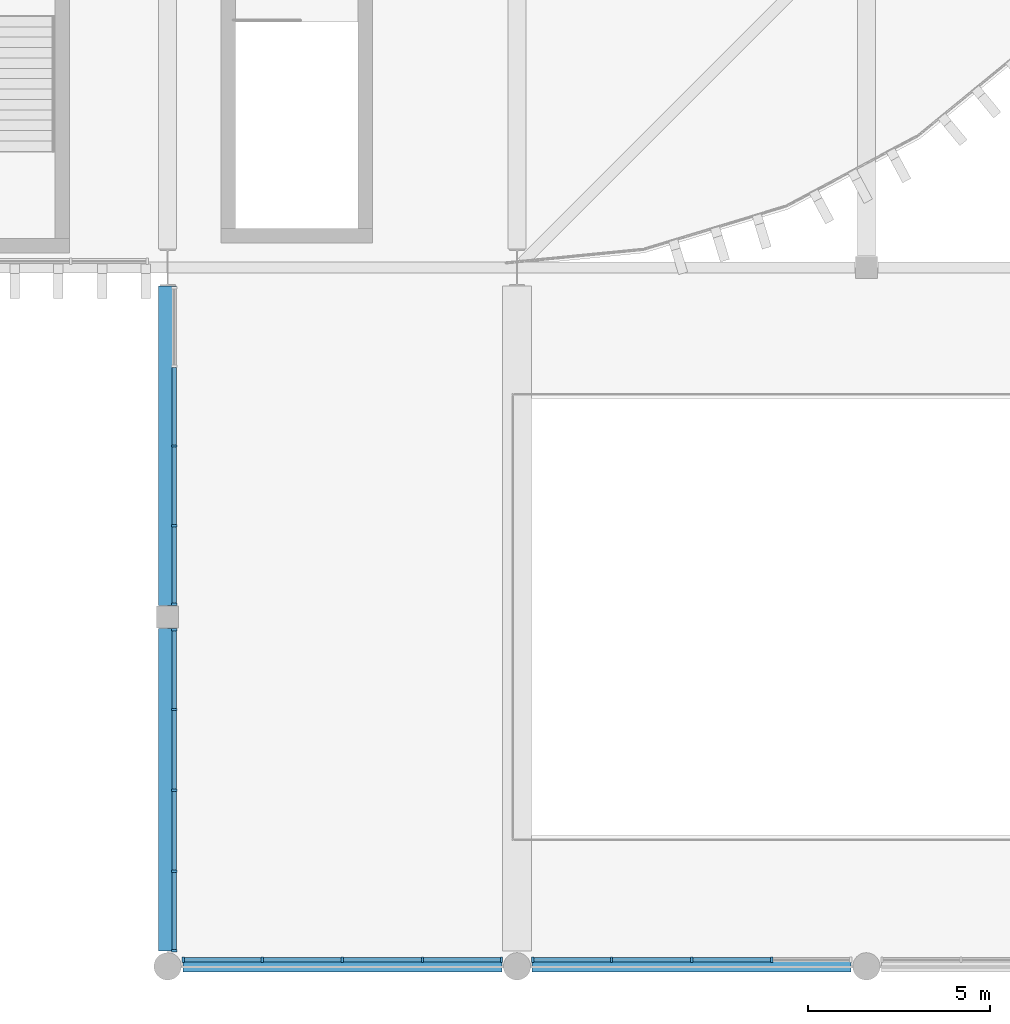
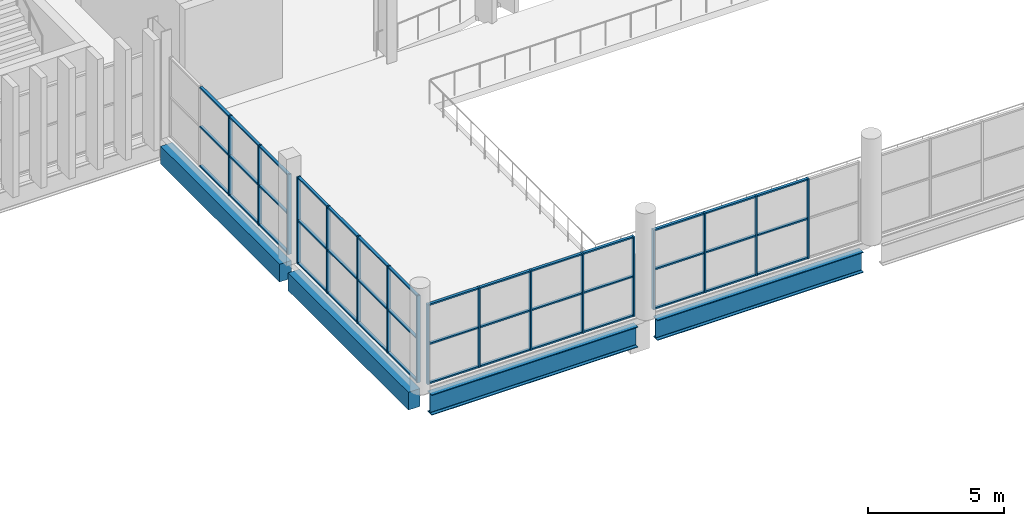
# One storey, part 36 of 99: 59 members, 4 beams, 4 elements without a shape of their own.
"""IFC4 building model written with IfcOpenShell, lengths in metres."""

from ifc_helpers import new_model, si_unit, direction, frame, origin, origin_2d, place, context, subcontext, project, spatial, rectangle, i_section, extrude, material, layer, layer_set, material_profile, profile_set, type_object, element, aggregate, save


model = new_model("IFC4")

# Units and contexts
model_context = context("Model", 3, precision=1e-05, world=origin(), true_north=direction((0.0, 1.0)))
body_context = subcontext(model_context, "Body", "Model", "MODEL_VIEW")
ifc_project = project(units=[si_unit("LENGTHUNIT", "METRE"), si_unit("AREAUNIT", "SQUARE_METRE"), si_unit("VOLUMEUNIT", "CUBIC_METRE"), si_unit("PLANEANGLEUNIT", "RADIAN"), si_unit("MASSUNIT", "GRAM", prefix="KILO")], contexts=[model_context])

# Site, building, storey
site_placement = place(None, origin())
site = spatial("IfcSite", under=ifc_project, at=site_placement, CompositionType="ELEMENT")
building_placement = place(site_placement, origin())
building = spatial("IfcBuilding", under=site, at=building_placement, Name="Caelomonte Colonnade Arena", CompositionType="ELEMENT")
storey_placement = place(building_placement, frame((0.0, 0.0, 4.800048828125)))
storey = spatial("IfcBuildingStorey", under=building, at=storey_placement, Name="L01", CompositionType="ELEMENT", Elevation=4.800048828125)

# Curtain wall, members
ifc_material_1 = material(Name="Bronze anodised aluminium and low-E glazing", Category="aluminium")
ifc_layer_1 = layer(ifc_material_1, 0.179931640625)
ifc_layer_set_1 = layer_set([ifc_layer_1], Name="Bronze anodised aluminium and low-E glazing")
curtain_wall_type_1 = type_object("IfcCurtainWallType", Name="ENV-CW-CW-L01-100-36", PredefinedType="USERDEFINED", material=ifc_layer_set_1)
curtain_wall_1_placement = place(storey_placement, origin())
curtain_wall_1 = element("IfcCurtainWall", 1, at=curtain_wall_1_placement, inside=storey, type_object=curtain_wall_type_1, Name="L01 unitized curtain wall CW-L01-1346-0146", ObjectType="UNITIZED CURTAIN WALL", PredefinedType="USERDEFINED")
ifc_material_2 = material(Name="Bronze anodised aluminium AA6063-T6", Category="aluminium")
ifc_material_profile_1 = material_profile(ifc_material_2, rectangle(XDim=0.06494140625, YDim=0.14990234375, at=origin_2d()), Name="CWM-65X150")
ifc_profile_set_1 = profile_set([ifc_material_profile_1], Name="Bronze anodised aluminium AA6063-T6")
member_type_1 = type_object("IfcMemberType", Name="ENV-CW-MULL2", PredefinedType="MULLION", material=ifc_profile_set_1)
member_1_placement = place(storey_placement, frame((134.580078125, 14.29736328125, 0.0), z_axis=(0.0, 0.0, 1.0), x_axis=(0.0, -1.0, 0.0)))
member_1 = element("IfcMember", 2, at=member_1_placement, type_object=member_type_1, Name="CW-L01-100-36 mullion 3", PredefinedType="MULLION", context=body_context, shape_type="SweptSolid", body=[
    extrude(rectangle(XDim=0.06494140625, YDim=0.14990234375, at=origin_2d()), origin(), (0.0, 0.0, 1.0), 3.593017578125),
])
member_2_placement = place(storey_placement, frame((134.580078125, 12.108642578125, 0.0), z_axis=(0.0, 0.0, 1.0), x_axis=(0.0, -1.0, 0.0)))
member_2 = element("IfcMember", 3, at=member_2_placement, type_object=member_type_1, Name="CW-L01-100-36 mullion 4", PredefinedType="MULLION", context=body_context, shape_type="SweptSolid", body=[
    extrude(rectangle(XDim=0.06494140625, YDim=0.14990234375, at=origin_2d()), origin(), (0.0, 0.0, 1.0), 3.593017578125),
])
member_3_placement = place(storey_placement, frame((134.580078125, 9.952392578125, 0.0), z_axis=(0.0, 0.0, 1.0), x_axis=(0.0, -1.0, 0.0)))
member_3 = element("IfcMember", 4, at=member_3_placement, type_object=member_type_1, Name="CW-L01-100-36 mullion 5", PredefinedType="MULLION", context=body_context, shape_type="SweptSolid", body=[
    extrude(rectangle(XDim=0.06494140625, YDim=0.14990234375, at=origin_2d()), origin(), (0.0, 0.0, 1.0), 3.593017578125),
])

ifc_layer_2 = layer(ifc_material_1, 0.179931640625)
ifc_layer_set_2 = layer_set([ifc_layer_2], Name="Bronze anodised aluminium and low-E glazing")
curtain_wall_type_2 = type_object("IfcCurtainWallType", Name="ENV-CW-CW-L01-92-39", PredefinedType="USERDEFINED", material=ifc_layer_set_2)
curtain_wall_2_placement = place(storey_placement, origin())
curtain_wall_2 = element("IfcCurtainWall", 5, at=curtain_wall_2_placement, inside=storey, type_object=curtain_wall_type_2, Name="L01 unitized curtain wall CW-L01-1346-0050", ObjectType="UNITIZED CURTAIN WALL", PredefinedType="USERDEFINED")
member_4_placement = place(storey_placement, frame((134.580078125, 9.24755859375, 0.0), z_axis=(0.0, 0.0, 1.0), x_axis=(0.0, -1.0, 0.0)))
member_4 = element("IfcMember", 6, at=member_4_placement, type_object=member_type_1, Name="CW-L01-92-39 mullion 1", PredefinedType="MULLION", context=body_context, shape_type="SweptSolid", body=[
    extrude(rectangle(XDim=0.06494140625, YDim=0.14990234375, at=origin_2d()), origin(), (0.0, 0.0, 1.0), 3.912841796875),
])
member_5_placement = place(storey_placement, frame((134.580078125, 7.058837890625, 0.0), z_axis=(0.0, 0.0, 1.0), x_axis=(0.0, -1.0, 0.0)))
member_5 = element("IfcMember", 7, at=member_5_placement, type_object=member_type_1, Name="CW-L01-92-39 mullion 2", PredefinedType="MULLION", context=body_context, shape_type="SweptSolid", body=[
    extrude(rectangle(XDim=0.06494140625, YDim=0.14990234375, at=origin_2d()), origin(), (0.0, 0.0, 1.0), 3.912841796875),
])
member_6_placement = place(storey_placement, frame((134.580078125, 4.83740234375, 0.0), z_axis=(0.0, 0.0, 1.0), x_axis=(0.0, -1.0, 0.0)))
member_6 = element("IfcMember", 8, at=member_6_placement, type_object=member_type_1, Name="CW-L01-92-39 mullion 3", PredefinedType="MULLION", context=body_context, shape_type="SweptSolid", body=[
    extrude(rectangle(XDim=0.06494140625, YDim=0.14990234375, at=origin_2d()), origin(), (0.0, 0.0, 1.0), 3.912841796875),
])
member_7_placement = place(storey_placement, frame((134.580078125, 2.6162109375, 0.0), z_axis=(0.0, 0.0, 1.0), x_axis=(0.0, -1.0, 0.0)))
member_7 = element("IfcMember", 9, at=member_7_placement, type_object=member_type_1, Name="CW-L01-92-39 mullion 4", PredefinedType="MULLION", context=body_context, shape_type="SweptSolid", body=[
    extrude(rectangle(XDim=0.06494140625, YDim=0.14990234375, at=origin_2d()), origin(), (0.0, 0.0, 1.0), 3.912841796875),
])
member_8_placement = place(storey_placement, frame((134.580078125, 0.427490234375, 0.0), z_axis=(0.0, 0.0, 1.0), x_axis=(0.0, -1.0, 0.0)))
member_8 = element("IfcMember", 10, at=member_8_placement, type_object=member_type_1, Name="CW-L01-92-39 mullion 5", PredefinedType="MULLION", context=body_context, shape_type="SweptSolid", body=[
    extrude(rectangle(XDim=0.06494140625, YDim=0.14990234375, at=origin_2d()), origin(), (0.0, 0.0, 1.0), 3.912841796875),
])

ifc_layer_3 = layer(ifc_material_1, 0.179931640625)
ifc_layer_set_3 = layer_set([ifc_layer_3], Name="Bronze anodised aluminium and low-E glazing")
curtain_wall_type_3 = type_object("IfcCurtainWallType", Name="ENV-CW-CW-L01-89-36", PredefinedType="USERDEFINED", material=ifc_layer_set_3)
curtain_wall_3_placement = place(storey_placement, origin())
curtain_wall_3 = element("IfcCurtainWall", 11, at=curtain_wall_3_placement, inside=storey, type_object=curtain_wall_type_3, Name="L01 unitized curtain wall CW-L01-1392-0002", ObjectType="UNITIZED CURTAIN WALL", PredefinedType="USERDEFINED")
member_9_placement = place(storey_placement, frame((134.827392578125, 0.179931640625, 0.0), z_axis=(0.0, 0.0, 1.0), x_axis=(1.0, 0.0, 0.0)))
member_9 = element("IfcMember", 12, at=member_9_placement, type_object=member_type_1, Name="CW-L01-89-36 mullion 1", PredefinedType="MULLION", context=body_context, shape_type="SweptSolid", body=[
    extrude(rectangle(XDim=0.06494140625, YDim=0.14990234375, at=origin_2d()), origin(), (0.0, 0.0, 1.0), 3.593017578125),
])
member_10_placement = place(storey_placement, frame((136.99755859375, 0.179931640625, 0.0), z_axis=(0.0, 0.0, 1.0), x_axis=(1.0, 0.0, 0.0)))
member_10 = element("IfcMember", 13, at=member_10_placement, type_object=member_type_1, Name="CW-L01-89-36 mullion 2", PredefinedType="MULLION", context=body_context, shape_type="SweptSolid", body=[
    extrude(rectangle(XDim=0.06494140625, YDim=0.14990234375, at=origin_2d()), origin(), (0.0, 0.0, 1.0), 3.593017578125),
])
member_11_placement = place(storey_placement, frame((139.199951171875, 0.179931640625, 0.0), z_axis=(0.0, 0.0, 1.0), x_axis=(1.0, 0.0, 0.0)))
member_11 = element("IfcMember", 14, at=member_11_placement, type_object=member_type_1, Name="CW-L01-89-36 mullion 3", PredefinedType="MULLION", context=body_context, shape_type="SweptSolid", body=[
    extrude(rectangle(XDim=0.06494140625, YDim=0.14990234375, at=origin_2d()), origin(), (0.0, 0.0, 1.0), 3.593017578125),
])
member_12_placement = place(storey_placement, frame((141.402587890625, 0.179931640625, 0.0), z_axis=(0.0, 0.0, 1.0), x_axis=(1.0, 0.0, 0.0)))
member_12 = element("IfcMember", 15, at=member_12_placement, type_object=member_type_1, Name="CW-L01-89-36 mullion 4", PredefinedType="MULLION", context=body_context, shape_type="SweptSolid", body=[
    extrude(rectangle(XDim=0.06494140625, YDim=0.14990234375, at=origin_2d()), origin(), (0.0, 0.0, 1.0), 3.593017578125),
])
member_13_placement = place(storey_placement, frame((143.572509765625, 0.179931640625, 0.0), z_axis=(0.0, 0.0, 1.0), x_axis=(1.0, 0.0, 0.0)))
member_13 = element("IfcMember", 16, at=member_13_placement, type_object=member_type_1, Name="CW-L01-89-36 mullion 5", PredefinedType="MULLION", context=body_context, shape_type="SweptSolid", body=[
    extrude(rectangle(XDim=0.06494140625, YDim=0.14990234375, at=origin_2d()), origin(), (0.0, 0.0, 1.0), 3.593017578125),
])

curtain_wall_4_placement = place(storey_placement, origin())
curtain_wall_4 = element("IfcCurtainWall", 17, at=curtain_wall_4_placement, inside=storey, type_object=curtain_wall_type_3, Name="L01 unitized curtain wall CW-L01-1488-0002", ObjectType="UNITIZED CURTAIN WALL", PredefinedType="USERDEFINED")
member_14_placement = place(storey_placement, frame((144.427490234375, 0.179931640625, 0.0), z_axis=(0.0, 0.0, 1.0), x_axis=(1.0, 0.0, 0.0)))
member_14 = element("IfcMember", 18, at=member_14_placement, type_object=member_type_1, Name="CW-L01-89-36 mullion 1", PredefinedType="MULLION", context=body_context, shape_type="SweptSolid", body=[
    extrude(rectangle(XDim=0.06494140625, YDim=0.14990234375, at=origin_2d()), origin(), (0.0, 0.0, 1.0), 3.593017578125),
])
member_15_placement = place(storey_placement, frame((146.597412109375, 0.179931640625, 0.0), z_axis=(0.0, 0.0, 1.0), x_axis=(1.0, 0.0, 0.0)))
member_15 = element("IfcMember", 19, at=member_15_placement, type_object=member_type_1, Name="CW-L01-89-36 mullion 2", PredefinedType="MULLION", context=body_context, shape_type="SweptSolid", body=[
    extrude(rectangle(XDim=0.06494140625, YDim=0.14990234375, at=origin_2d()), origin(), (0.0, 0.0, 1.0), 3.593017578125),
])
member_16_placement = place(storey_placement, frame((148.800048828125, 0.179931640625, 0.0), z_axis=(0.0, 0.0, 1.0), x_axis=(1.0, 0.0, 0.0)))
member_16 = element("IfcMember", 20, at=member_16_placement, type_object=member_type_1, Name="CW-L01-89-36 mullion 3", PredefinedType="MULLION", context=body_context, shape_type="SweptSolid", body=[
    extrude(rectangle(XDim=0.06494140625, YDim=0.14990234375, at=origin_2d()), origin(), (0.0, 0.0, 1.0), 3.593017578125),
])
member_17_placement = place(storey_placement, frame((151.00244140625, 0.179931640625, 0.0), z_axis=(0.0, 0.0, 1.0), x_axis=(1.0, 0.0, 0.0)))
member_17 = element("IfcMember", 21, at=member_17_placement, type_object=member_type_1, Name="CW-L01-89-36 mullion 4", PredefinedType="MULLION", context=body_context, shape_type="SweptSolid", body=[
    extrude(rectangle(XDim=0.06494140625, YDim=0.14990234375, at=origin_2d()), origin(), (0.0, 0.0, 1.0), 3.593017578125),
])

# Member
ifc_material_profile_2 = material_profile(ifc_material_2, rectangle(XDim=0.06494140625, YDim=0.1201171875, at=origin_2d()), Name="CWT-65X120")
ifc_profile_set_2 = profile_set([ifc_material_profile_2], Name="Bronze anodised aluminium AA6063-T6")
member_type_2 = type_object("IfcMemberType", Name="ENV-CW-TRAN2", PredefinedType="USERDEFINED", material=ifc_profile_set_2)
member_18_placement = place(storey_placement, frame((134.580078125, 16.453369140625, 0.032470703125), z_axis=(0.0, -1.0, 0.0), x_axis=(0.0, 0.0, 1.0)))
member_18 = element("IfcMember", 22, at=member_18_placement, type_object=member_type_2, Name="CW-L01-100-36 transom 2.1", ObjectType="TRANSOM", PredefinedType="USERDEFINED", context=body_context, shape_type="SweptSolid", body=[
    extrude(rectangle(XDim=0.06494140625, YDim=0.1201171875, at=origin_2d()), origin(), (0.0, 0.0, 1.0), 2.12353515625),
])

member_19_placement = place(storey_placement, frame((134.580078125, 16.453369140625, 1.79638671875), z_axis=(0.0, -1.0, 0.0), x_axis=(0.0, 0.0, 1.0)))
member_19 = element("IfcMember", 23, at=member_19_placement, type_object=member_type_2, Name="CW-L01-100-36 transom 2.2", ObjectType="TRANSOM", PredefinedType="USERDEFINED", context=body_context, shape_type="SweptSolid", body=[
    extrude(rectangle(XDim=0.06494140625, YDim=0.1201171875, at=origin_2d()), origin(), (0.0, 0.0, 1.0), 2.12353515625),
])

member_20_placement = place(storey_placement, frame((134.580078125, 16.453369140625, 3.560546875), z_axis=(0.0, -1.0, 0.0), x_axis=(0.0, 0.0, 1.0)))
member_20 = element("IfcMember", 24, at=member_20_placement, type_object=member_type_2, Name="CW-L01-100-36 transom 2.3", ObjectType="TRANSOM", PredefinedType="USERDEFINED", context=body_context, shape_type="SweptSolid", body=[
    extrude(rectangle(XDim=0.06494140625, YDim=0.1201171875, at=origin_2d()), origin(), (0.0, 0.0, 1.0), 2.12353515625),
])

member_21_placement = place(storey_placement, frame((134.580078125, 14.2646484375, 0.032470703125), z_axis=(0.0, -1.0, 0.0), x_axis=(0.0, 0.0, 1.0)))
member_21 = element("IfcMember", 25, at=member_21_placement, type_object=member_type_2, Name="CW-L01-100-36 transom 3.1", ObjectType="TRANSOM", PredefinedType="USERDEFINED", context=body_context, shape_type="SweptSolid", body=[
    extrude(rectangle(XDim=0.06494140625, YDim=0.1201171875, at=origin_2d()), origin(), (0.0, 0.0, 1.0), 2.12353515625),
])

member_22_placement = place(storey_placement, frame((134.580078125, 14.2646484375, 1.79638671875), z_axis=(0.0, -1.0, 0.0), x_axis=(0.0, 0.0, 1.0)))
member_22 = element("IfcMember", 26, at=member_22_placement, type_object=member_type_2, Name="CW-L01-100-36 transom 3.2", ObjectType="TRANSOM", PredefinedType="USERDEFINED", context=body_context, shape_type="SweptSolid", body=[
    extrude(rectangle(XDim=0.06494140625, YDim=0.1201171875, at=origin_2d()), origin(), (0.0, 0.0, 1.0), 2.12353515625),
])

member_23_placement = place(storey_placement, frame((134.580078125, 14.2646484375, 3.560546875), z_axis=(0.0, -1.0, 0.0), x_axis=(0.0, 0.0, 1.0)))
member_23 = element("IfcMember", 27, at=member_23_placement, type_object=member_type_2, Name="CW-L01-100-36 transom 3.3", ObjectType="TRANSOM", PredefinedType="USERDEFINED", context=body_context, shape_type="SweptSolid", body=[
    extrude(rectangle(XDim=0.06494140625, YDim=0.1201171875, at=origin_2d()), origin(), (0.0, 0.0, 1.0), 2.12353515625),
])

member_24_placement = place(storey_placement, frame((134.580078125, 12.076171875, 0.032470703125), z_axis=(0.0, -1.0, 0.0), x_axis=(0.0, 0.0, 1.0)))
member_24 = element("IfcMember", 28, at=member_24_placement, type_object=member_type_2, Name="CW-L01-100-36 transom 4.1", ObjectType="TRANSOM", PredefinedType="USERDEFINED", context=body_context, shape_type="SweptSolid", body=[
    extrude(rectangle(XDim=0.06494140625, YDim=0.1201171875, at=origin_2d()), origin(), (0.0, 0.0, 1.0), 2.091064453125),
])

member_25_placement = place(storey_placement, frame((134.580078125, 12.076171875, 1.79638671875), z_axis=(0.0, -1.0, 0.0), x_axis=(0.0, 0.0, 1.0)))
member_25 = element("IfcMember", 29, at=member_25_placement, type_object=member_type_2, Name="CW-L01-100-36 transom 4.2", ObjectType="TRANSOM", PredefinedType="USERDEFINED", context=body_context, shape_type="SweptSolid", body=[
    extrude(rectangle(XDim=0.06494140625, YDim=0.1201171875, at=origin_2d()), origin(), (0.0, 0.0, 1.0), 2.091064453125),
])

member_26_placement = place(storey_placement, frame((134.580078125, 12.076171875, 3.560546875), z_axis=(0.0, -1.0, 0.0), x_axis=(0.0, 0.0, 1.0)))
member_26 = element("IfcMember", 30, at=member_26_placement, type_object=member_type_2, Name="CW-L01-100-36 transom 4.3", ObjectType="TRANSOM", PredefinedType="USERDEFINED", context=body_context, shape_type="SweptSolid", body=[
    extrude(rectangle(XDim=0.06494140625, YDim=0.1201171875, at=origin_2d()), origin(), (0.0, 0.0, 1.0), 2.091064453125),
])

aggregate(curtain_wall_1, [member_1, member_2, member_3, member_18, member_19, member_20, member_21, member_22, member_23, member_24, member_25, member_26])

member_27_placement = place(storey_placement, frame((134.580078125, 9.215087890625, 0.032470703125), z_axis=(0.0, -1.0, 0.0), x_axis=(0.0, 0.0, 1.0)))
member_27 = element("IfcMember", 31, at=member_27_placement, type_object=member_type_2, Name="CW-L01-92-39 transom 1.1", ObjectType="TRANSOM", PredefinedType="USERDEFINED", context=body_context, shape_type="SweptSolid", body=[
    extrude(rectangle(XDim=0.06494140625, YDim=0.1201171875, at=origin_2d()), origin(), (0.0, 0.0, 1.0), 2.123779296875),
])

member_28_placement = place(storey_placement, frame((134.580078125, 9.215087890625, 1.95654296875), z_axis=(0.0, -1.0, 0.0), x_axis=(0.0, 0.0, 1.0)))
member_28 = element("IfcMember", 32, at=member_28_placement, type_object=member_type_2, Name="CW-L01-92-39 transom 1.2", ObjectType="TRANSOM", PredefinedType="USERDEFINED", context=body_context, shape_type="SweptSolid", body=[
    extrude(rectangle(XDim=0.06494140625, YDim=0.1201171875, at=origin_2d()), origin(), (0.0, 0.0, 1.0), 2.123779296875),
])

member_29_placement = place(storey_placement, frame((134.580078125, 9.215087890625, 3.88037109375), z_axis=(0.0, -1.0, 0.0), x_axis=(0.0, 0.0, 1.0)))
member_29 = element("IfcMember", 33, at=member_29_placement, type_object=member_type_2, Name="CW-L01-92-39 transom 1.3", ObjectType="TRANSOM", PredefinedType="USERDEFINED", context=body_context, shape_type="SweptSolid", body=[
    extrude(rectangle(XDim=0.06494140625, YDim=0.1201171875, at=origin_2d()), origin(), (0.0, 0.0, 1.0), 2.123779296875),
])

member_30_placement = place(storey_placement, frame((134.580078125, 7.0263671875, 0.032470703125), z_axis=(0.0, -1.0, 0.0), x_axis=(0.0, 0.0, 1.0)))
member_30 = element("IfcMember", 34, at=member_30_placement, type_object=member_type_2, Name="CW-L01-92-39 transom 2.1", ObjectType="TRANSOM", PredefinedType="USERDEFINED", context=body_context, shape_type="SweptSolid", body=[
    extrude(rectangle(XDim=0.06494140625, YDim=0.1201171875, at=origin_2d()), origin(), (0.0, 0.0, 1.0), 2.15625),
])

member_31_placement = place(storey_placement, frame((134.580078125, 7.0263671875, 1.95654296875), z_axis=(0.0, -1.0, 0.0), x_axis=(0.0, 0.0, 1.0)))
member_31 = element("IfcMember", 35, at=member_31_placement, type_object=member_type_2, Name="CW-L01-92-39 transom 2.2", ObjectType="TRANSOM", PredefinedType="USERDEFINED", context=body_context, shape_type="SweptSolid", body=[
    extrude(rectangle(XDim=0.06494140625, YDim=0.1201171875, at=origin_2d()), origin(), (0.0, 0.0, 1.0), 2.15625),
])

member_32_placement = place(storey_placement, frame((134.580078125, 7.0263671875, 3.88037109375), z_axis=(0.0, -1.0, 0.0), x_axis=(0.0, 0.0, 1.0)))
member_32 = element("IfcMember", 36, at=member_32_placement, type_object=member_type_2, Name="CW-L01-92-39 transom 2.3", ObjectType="TRANSOM", PredefinedType="USERDEFINED", context=body_context, shape_type="SweptSolid", body=[
    extrude(rectangle(XDim=0.06494140625, YDim=0.1201171875, at=origin_2d()), origin(), (0.0, 0.0, 1.0), 2.15625),
])

member_33_placement = place(storey_placement, frame((134.580078125, 4.804931640625, 0.032470703125), z_axis=(0.0, -1.0, 0.0), x_axis=(0.0, 0.0, 1.0)))
member_33 = element("IfcMember", 37, at=member_33_placement, type_object=member_type_2, Name="CW-L01-92-39 transom 3.1", ObjectType="TRANSOM", PredefinedType="USERDEFINED", context=body_context, shape_type="SweptSolid", body=[
    extrude(rectangle(XDim=0.06494140625, YDim=0.1201171875, at=origin_2d()), origin(), (0.0, 0.0, 1.0), 2.15625),
])

member_34_placement = place(storey_placement, frame((134.580078125, 4.804931640625, 1.95654296875), z_axis=(0.0, -1.0, 0.0), x_axis=(0.0, 0.0, 1.0)))
member_34 = element("IfcMember", 38, at=member_34_placement, type_object=member_type_2, Name="CW-L01-92-39 transom 3.2", ObjectType="TRANSOM", PredefinedType="USERDEFINED", context=body_context, shape_type="SweptSolid", body=[
    extrude(rectangle(XDim=0.06494140625, YDim=0.1201171875, at=origin_2d()), origin(), (0.0, 0.0, 1.0), 2.15625),
])

member_35_placement = place(storey_placement, frame((134.580078125, 4.804931640625, 3.88037109375), z_axis=(0.0, -1.0, 0.0), x_axis=(0.0, 0.0, 1.0)))
member_35 = element("IfcMember", 39, at=member_35_placement, type_object=member_type_2, Name="CW-L01-92-39 transom 3.3", ObjectType="TRANSOM", PredefinedType="USERDEFINED", context=body_context, shape_type="SweptSolid", body=[
    extrude(rectangle(XDim=0.06494140625, YDim=0.1201171875, at=origin_2d()), origin(), (0.0, 0.0, 1.0), 2.15625),
])

member_36_placement = place(storey_placement, frame((134.580078125, 2.583740234375, 0.032470703125), z_axis=(0.0, -1.0, 0.0), x_axis=(0.0, 0.0, 1.0)))
member_36 = element("IfcMember", 40, at=member_36_placement, type_object=member_type_2, Name="CW-L01-92-39 transom 4.1", ObjectType="TRANSOM", PredefinedType="USERDEFINED", context=body_context, shape_type="SweptSolid", body=[
    extrude(rectangle(XDim=0.06494140625, YDim=0.1201171875, at=origin_2d()), origin(), (0.0, 0.0, 1.0), 2.123779296875),
])

member_37_placement = place(storey_placement, frame((134.580078125, 2.583740234375, 1.95654296875), z_axis=(0.0, -1.0, 0.0), x_axis=(0.0, 0.0, 1.0)))
member_37 = element("IfcMember", 41, at=member_37_placement, type_object=member_type_2, Name="CW-L01-92-39 transom 4.2", ObjectType="TRANSOM", PredefinedType="USERDEFINED", context=body_context, shape_type="SweptSolid", body=[
    extrude(rectangle(XDim=0.06494140625, YDim=0.1201171875, at=origin_2d()), origin(), (0.0, 0.0, 1.0), 2.123779296875),
])

member_38_placement = place(storey_placement, frame((134.580078125, 2.583740234375, 3.88037109375), z_axis=(0.0, -1.0, 0.0), x_axis=(0.0, 0.0, 1.0)))
member_38 = element("IfcMember", 42, at=member_38_placement, type_object=member_type_2, Name="CW-L01-92-39 transom 4.3", ObjectType="TRANSOM", PredefinedType="USERDEFINED", context=body_context, shape_type="SweptSolid", body=[
    extrude(rectangle(XDim=0.06494140625, YDim=0.1201171875, at=origin_2d()), origin(), (0.0, 0.0, 1.0), 2.123779296875),
])

aggregate(curtain_wall_2, [member_4, member_5, member_6, member_7, member_8, member_27, member_28, member_29, member_30, member_31, member_32, member_33, member_34, member_35, member_36, member_37, member_38])

member_39_placement = place(storey_placement, frame((134.860107421875, 0.179931640625, 0.032470703125), z_axis=(1.0, 0.0, 0.0), x_axis=(0.0, 0.0, 1.0)))
member_39 = element("IfcMember", 43, at=member_39_placement, type_object=member_type_2, Name="CW-L01-89-36 transom 1.1", ObjectType="TRANSOM", PredefinedType="USERDEFINED", context=body_context, shape_type="SweptSolid", body=[
    extrude(rectangle(XDim=0.06494140625, YDim=0.1201171875, at=origin_2d()), origin(), (0.0, 0.0, 1.0), 2.10498046875),
])

member_40_placement = place(storey_placement, frame((134.860107421875, 0.179931640625, 1.79638671875), z_axis=(1.0, 0.0, 0.0), x_axis=(0.0, 0.0, 1.0)))
member_40 = element("IfcMember", 44, at=member_40_placement, type_object=member_type_2, Name="CW-L01-89-36 transom 1.2", ObjectType="TRANSOM", PredefinedType="USERDEFINED", context=body_context, shape_type="SweptSolid", body=[
    extrude(rectangle(XDim=0.06494140625, YDim=0.1201171875, at=origin_2d()), origin(), (0.0, 0.0, 1.0), 2.10498046875),
])

member_41_placement = place(storey_placement, frame((134.860107421875, 0.179931640625, 3.560546875), z_axis=(1.0, 0.0, 0.0), x_axis=(0.0, 0.0, 1.0)))
member_41 = element("IfcMember", 45, at=member_41_placement, type_object=member_type_2, Name="CW-L01-89-36 transom 1.3", ObjectType="TRANSOM", PredefinedType="USERDEFINED", context=body_context, shape_type="SweptSolid", body=[
    extrude(rectangle(XDim=0.06494140625, YDim=0.1201171875, at=origin_2d()), origin(), (0.0, 0.0, 1.0), 2.10498046875),
])

member_42_placement = place(storey_placement, frame((137.030029296875, 0.179931640625, 0.032470703125), z_axis=(1.0, 0.0, 0.0), x_axis=(0.0, 0.0, 1.0)))
member_42 = element("IfcMember", 46, at=member_42_placement, type_object=member_type_2, Name="CW-L01-89-36 transom 2.1", ObjectType="TRANSOM", PredefinedType="USERDEFINED", context=body_context, shape_type="SweptSolid", body=[
    extrude(rectangle(XDim=0.06494140625, YDim=0.1201171875, at=origin_2d()), origin(), (0.0, 0.0, 1.0), 2.137451171875),
])

member_43_placement = place(storey_placement, frame((137.030029296875, 0.179931640625, 1.79638671875), z_axis=(1.0, 0.0, 0.0), x_axis=(0.0, 0.0, 1.0)))
member_43 = element("IfcMember", 47, at=member_43_placement, type_object=member_type_2, Name="CW-L01-89-36 transom 2.2", ObjectType="TRANSOM", PredefinedType="USERDEFINED", context=body_context, shape_type="SweptSolid", body=[
    extrude(rectangle(XDim=0.06494140625, YDim=0.1201171875, at=origin_2d()), origin(), (0.0, 0.0, 1.0), 2.137451171875),
])

member_44_placement = place(storey_placement, frame((137.030029296875, 0.179931640625, 3.560546875), z_axis=(1.0, 0.0, 0.0), x_axis=(0.0, 0.0, 1.0)))
member_44 = element("IfcMember", 48, at=member_44_placement, type_object=member_type_2, Name="CW-L01-89-36 transom 2.3", ObjectType="TRANSOM", PredefinedType="USERDEFINED", context=body_context, shape_type="SweptSolid", body=[
    extrude(rectangle(XDim=0.06494140625, YDim=0.1201171875, at=origin_2d()), origin(), (0.0, 0.0, 1.0), 2.137451171875),
])

member_45_placement = place(storey_placement, frame((139.232421875, 0.179931640625, 0.032470703125), z_axis=(1.0, 0.0, 0.0), x_axis=(0.0, 0.0, 1.0)))
member_45 = element("IfcMember", 49, at=member_45_placement, type_object=member_type_2, Name="CW-L01-89-36 transom 3.1", ObjectType="TRANSOM", PredefinedType="USERDEFINED", context=body_context, shape_type="SweptSolid", body=[
    extrude(rectangle(XDim=0.06494140625, YDim=0.1201171875, at=origin_2d()), origin(), (0.0, 0.0, 1.0), 2.1376953125),
])

member_46_placement = place(storey_placement, frame((139.232421875, 0.179931640625, 1.79638671875), z_axis=(1.0, 0.0, 0.0), x_axis=(0.0, 0.0, 1.0)))
member_46 = element("IfcMember", 50, at=member_46_placement, type_object=member_type_2, Name="CW-L01-89-36 transom 3.2", ObjectType="TRANSOM", PredefinedType="USERDEFINED", context=body_context, shape_type="SweptSolid", body=[
    extrude(rectangle(XDim=0.06494140625, YDim=0.1201171875, at=origin_2d()), origin(), (0.0, 0.0, 1.0), 2.1376953125),
])

member_47_placement = place(storey_placement, frame((139.232421875, 0.179931640625, 3.560546875), z_axis=(1.0, 0.0, 0.0), x_axis=(0.0, 0.0, 1.0)))
member_47 = element("IfcMember", 51, at=member_47_placement, type_object=member_type_2, Name="CW-L01-89-36 transom 3.3", ObjectType="TRANSOM", PredefinedType="USERDEFINED", context=body_context, shape_type="SweptSolid", body=[
    extrude(rectangle(XDim=0.06494140625, YDim=0.1201171875, at=origin_2d()), origin(), (0.0, 0.0, 1.0), 2.1376953125),
])

member_48_placement = place(storey_placement, frame((141.43505859375, 0.179931640625, 0.032470703125), z_axis=(1.0, 0.0, 0.0), x_axis=(0.0, 0.0, 1.0)))
member_48 = element("IfcMember", 52, at=member_48_placement, type_object=member_type_2, Name="CW-L01-89-36 transom 4.1", ObjectType="TRANSOM", PredefinedType="USERDEFINED", context=body_context, shape_type="SweptSolid", body=[
    extrude(rectangle(XDim=0.06494140625, YDim=0.1201171875, at=origin_2d()), origin(), (0.0, 0.0, 1.0), 2.10498046875),
])

member_49_placement = place(storey_placement, frame((141.43505859375, 0.179931640625, 1.79638671875), z_axis=(1.0, 0.0, 0.0), x_axis=(0.0, 0.0, 1.0)))
member_49 = element("IfcMember", 53, at=member_49_placement, type_object=member_type_2, Name="CW-L01-89-36 transom 4.2", ObjectType="TRANSOM", PredefinedType="USERDEFINED", context=body_context, shape_type="SweptSolid", body=[
    extrude(rectangle(XDim=0.06494140625, YDim=0.1201171875, at=origin_2d()), origin(), (0.0, 0.0, 1.0), 2.10498046875),
])

member_50_placement = place(storey_placement, frame((141.43505859375, 0.179931640625, 3.560546875), z_axis=(1.0, 0.0, 0.0), x_axis=(0.0, 0.0, 1.0)))
member_50 = element("IfcMember", 54, at=member_50_placement, type_object=member_type_2, Name="CW-L01-89-36 transom 4.3", ObjectType="TRANSOM", PredefinedType="USERDEFINED", context=body_context, shape_type="SweptSolid", body=[
    extrude(rectangle(XDim=0.06494140625, YDim=0.1201171875, at=origin_2d()), origin(), (0.0, 0.0, 1.0), 2.10498046875),
])

aggregate(curtain_wall_3, [member_9, member_10, member_11, member_12, member_13, member_39, member_40, member_41, member_42, member_43, member_44, member_45, member_46, member_47, member_48, member_49, member_50])

member_51_placement = place(storey_placement, frame((144.4599609375, 0.179931640625, 0.032470703125), z_axis=(1.0, 0.0, 0.0), x_axis=(0.0, 0.0, 1.0)))
member_51 = element("IfcMember", 55, at=member_51_placement, type_object=member_type_2, Name="CW-L01-89-36 transom 1.1", ObjectType="TRANSOM", PredefinedType="USERDEFINED", context=body_context, shape_type="SweptSolid", body=[
    extrude(rectangle(XDim=0.06494140625, YDim=0.1201171875, at=origin_2d()), origin(), (0.0, 0.0, 1.0), 2.10498046875),
])

member_52_placement = place(storey_placement, frame((144.4599609375, 0.179931640625, 1.79638671875), z_axis=(1.0, 0.0, 0.0), x_axis=(0.0, 0.0, 1.0)))
member_52 = element("IfcMember", 56, at=member_52_placement, type_object=member_type_2, Name="CW-L01-89-36 transom 1.2", ObjectType="TRANSOM", PredefinedType="USERDEFINED", context=body_context, shape_type="SweptSolid", body=[
    extrude(rectangle(XDim=0.06494140625, YDim=0.1201171875, at=origin_2d()), origin(), (0.0, 0.0, 1.0), 2.10498046875),
])

member_53_placement = place(storey_placement, frame((144.4599609375, 0.179931640625, 3.560546875), z_axis=(1.0, 0.0, 0.0), x_axis=(0.0, 0.0, 1.0)))
member_53 = element("IfcMember", 57, at=member_53_placement, type_object=member_type_2, Name="CW-L01-89-36 transom 1.3", ObjectType="TRANSOM", PredefinedType="USERDEFINED", context=body_context, shape_type="SweptSolid", body=[
    extrude(rectangle(XDim=0.06494140625, YDim=0.1201171875, at=origin_2d()), origin(), (0.0, 0.0, 1.0), 2.10498046875),
])

member_54_placement = place(storey_placement, frame((146.6298828125, 0.179931640625, 0.032470703125), z_axis=(1.0, 0.0, 0.0), x_axis=(0.0, 0.0, 1.0)))
member_54 = element("IfcMember", 58, at=member_54_placement, type_object=member_type_2, Name="CW-L01-89-36 transom 2.1", ObjectType="TRANSOM", PredefinedType="USERDEFINED", context=body_context, shape_type="SweptSolid", body=[
    extrude(rectangle(XDim=0.06494140625, YDim=0.1201171875, at=origin_2d()), origin(), (0.0, 0.0, 1.0), 2.1376953125),
])

member_55_placement = place(storey_placement, frame((146.6298828125, 0.179931640625, 1.79638671875), z_axis=(1.0, 0.0, 0.0), x_axis=(0.0, 0.0, 1.0)))
member_55 = element("IfcMember", 59, at=member_55_placement, type_object=member_type_2, Name="CW-L01-89-36 transom 2.2", ObjectType="TRANSOM", PredefinedType="USERDEFINED", context=body_context, shape_type="SweptSolid", body=[
    extrude(rectangle(XDim=0.06494140625, YDim=0.1201171875, at=origin_2d()), origin(), (0.0, 0.0, 1.0), 2.1376953125),
])

member_56_placement = place(storey_placement, frame((146.6298828125, 0.179931640625, 3.560546875), z_axis=(1.0, 0.0, 0.0), x_axis=(0.0, 0.0, 1.0)))
member_56 = element("IfcMember", 60, at=member_56_placement, type_object=member_type_2, Name="CW-L01-89-36 transom 2.3", ObjectType="TRANSOM", PredefinedType="USERDEFINED", context=body_context, shape_type="SweptSolid", body=[
    extrude(rectangle(XDim=0.06494140625, YDim=0.1201171875, at=origin_2d()), origin(), (0.0, 0.0, 1.0), 2.1376953125),
])

member_57_placement = place(storey_placement, frame((148.83251953125, 0.179931640625, 0.032470703125), z_axis=(1.0, 0.0, 0.0), x_axis=(0.0, 0.0, 1.0)))
member_57 = element("IfcMember", 61, at=member_57_placement, type_object=member_type_2, Name="CW-L01-89-36 transom 3.1", ObjectType="TRANSOM", PredefinedType="USERDEFINED", context=body_context, shape_type="SweptSolid", body=[
    extrude(rectangle(XDim=0.06494140625, YDim=0.1201171875, at=origin_2d()), origin(), (0.0, 0.0, 1.0), 2.137451171875),
])

member_58_placement = place(storey_placement, frame((148.83251953125, 0.179931640625, 1.79638671875), z_axis=(1.0, 0.0, 0.0), x_axis=(0.0, 0.0, 1.0)))
member_58 = element("IfcMember", 62, at=member_58_placement, type_object=member_type_2, Name="CW-L01-89-36 transom 3.2", ObjectType="TRANSOM", PredefinedType="USERDEFINED", context=body_context, shape_type="SweptSolid", body=[
    extrude(rectangle(XDim=0.06494140625, YDim=0.1201171875, at=origin_2d()), origin(), (0.0, 0.0, 1.0), 2.137451171875),
])

member_59_placement = place(storey_placement, frame((148.83251953125, 0.179931640625, 3.560546875), z_axis=(1.0, 0.0, 0.0), x_axis=(0.0, 0.0, 1.0)))
member_59 = element("IfcMember", 63, at=member_59_placement, type_object=member_type_2, Name="CW-L01-89-36 transom 3.3", ObjectType="TRANSOM", PredefinedType="USERDEFINED", context=body_context, shape_type="SweptSolid", body=[
    extrude(rectangle(XDim=0.06494140625, YDim=0.1201171875, at=origin_2d()), origin(), (0.0, 0.0, 1.0), 2.137451171875),
])

aggregate(curtain_wall_4, [member_14, member_15, member_16, member_17, member_51, member_52, member_53, member_54, member_55, member_56, member_57, member_58, member_59])

# Beams
ifc_material_3 = material(Name="Wide-flange steel ASTM A992 Grade 50", Category="steel")
ifc_material_profile_3 = material_profile(ifc_material_3, i_section(OverallWidth=0.307861328125, OverallDepth=0.927001953125, WebThickness=0.019287109375, FlangeThickness=0.031982421875, FilletRadius=0.020263671875, at=origin_2d()), Name="W36X194")
ifc_profile_set_3 = profile_set([ifc_material_profile_3], Name="Wide-flange steel ASTM A992 Grade 50")
beam_type_1 = type_object("IfcBeamType", Name="STR-BM-EAVES2", PredefinedType="SPANDREL", material=ifc_profile_set_3)
for number, where, z_axis, x_axis, name in (
    (64, (134.81689453125, 0.0, -0.763427734375), (1.0, 0.0, 0.0), (0.0, 1.0, 0.0), "L01 girder BMX-L01-1344-0000"),
    (65, (144.4169921875, 0.0, -0.763427734375), (1.0, 0.0, 0.0), (0.0, 1.0, 0.0), "L01 girder BMX-L01-1440-0000"),
):
    element("IfcBeam", number, at=place(storey_placement, frame(where, z_axis=z_axis, x_axis=x_axis)), inside=storey, type_object=beam_type_1, Name=name, PredefinedType="SPANDREL", context=body_context, shape_type="SweptSolid", body=[
        extrude(i_section(OverallWidth=0.307861328125, OverallDepth=0.927001953125, WebThickness=0.019287109375, FlangeThickness=0.031982421875, FilletRadius=0.020263671875, at=origin_2d()), origin(), (0.0, 0.0, 1.0), 8.76611328125),
    ])
ifc_material_4 = material(Name="Concrete C40/50", Category="concrete")
ifc_material_profile_4 = material_profile(ifc_material_4, rectangle(XDim=0.5, YDim=0.800048828125, at=origin_2d()), Name="RC500X800")
ifc_profile_set_4 = profile_set([ifc_material_profile_4], Name="Concrete C40/50")
beam_type_2 = type_object("IfcBeamType", Name="STR-BM-RC50", PredefinedType="BEAM", material=ifc_profile_set_4)
beam_1_placement = place(storey_placement, frame((134.39990234375, 0.4169921875, -0.699951171875), z_axis=(0.0, 1.0, 0.0), x_axis=(-1.0, 0.0, 0.0)))
element("IfcBeam", 66, at=beam_1_placement, inside=storey, type_object=beam_type_2, Name="L01 girder BMY-L01-1344-0000", PredefinedType="BEAM", context=body_context, shape_type="SweptSolid", body=[
    extrude(rectangle(XDim=0.5, YDim=0.800048828125, at=origin_2d()), origin(), (0.0, 0.0, 1.0), 8.865966796875),
])
beam_2_placement = place(storey_placement, frame((134.39990234375, 9.9169921875, -0.699951171875), z_axis=(0.0, 1.0, 0.0), x_axis=(-1.0, 0.0, 0.0)))
element("IfcBeam", 67, at=beam_2_placement, inside=storey, type_object=beam_type_2, Name="L01 girder BMY-L01-1344-0096", PredefinedType="BEAM", context=body_context, shape_type="SweptSolid", body=[
    extrude(rectangle(XDim=0.5, YDim=0.800048828125, at=origin_2d()), origin(), (0.0, 0.0, 1.0), 8.770263671875),
])

save(model, "model.ifc")
